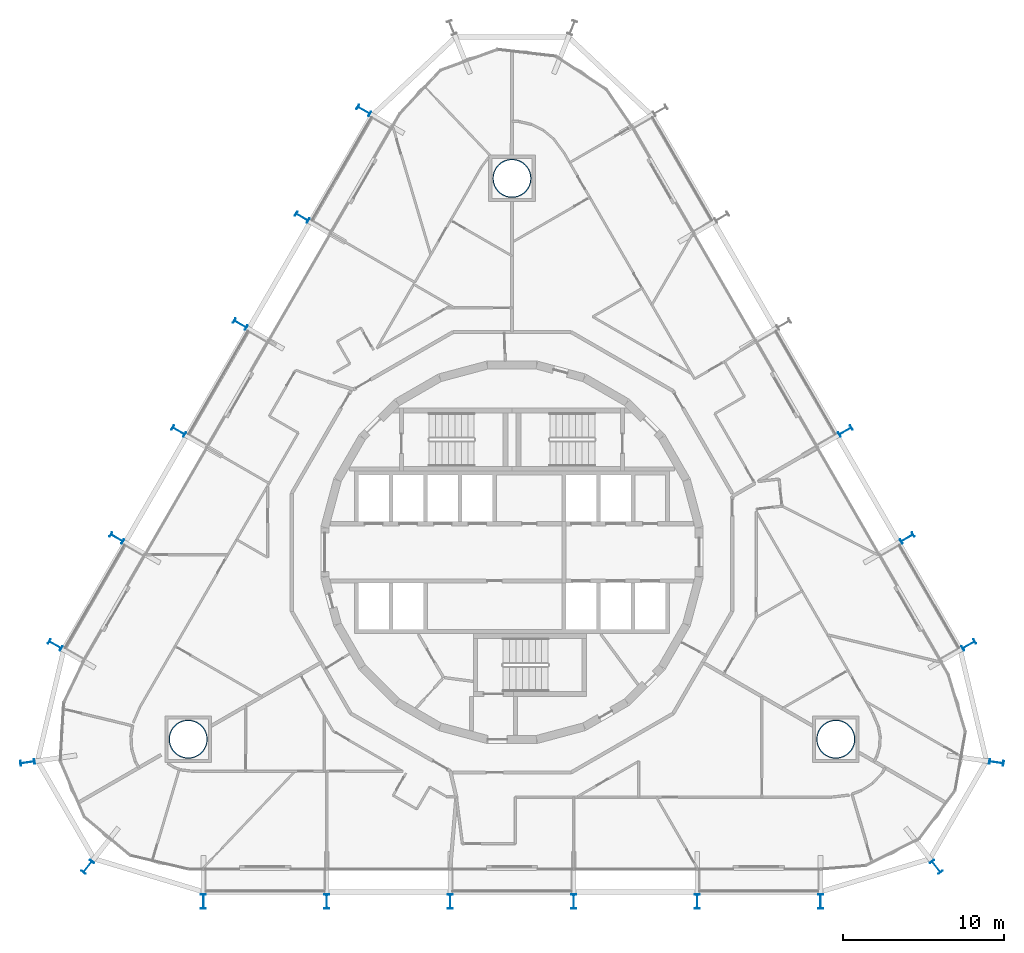
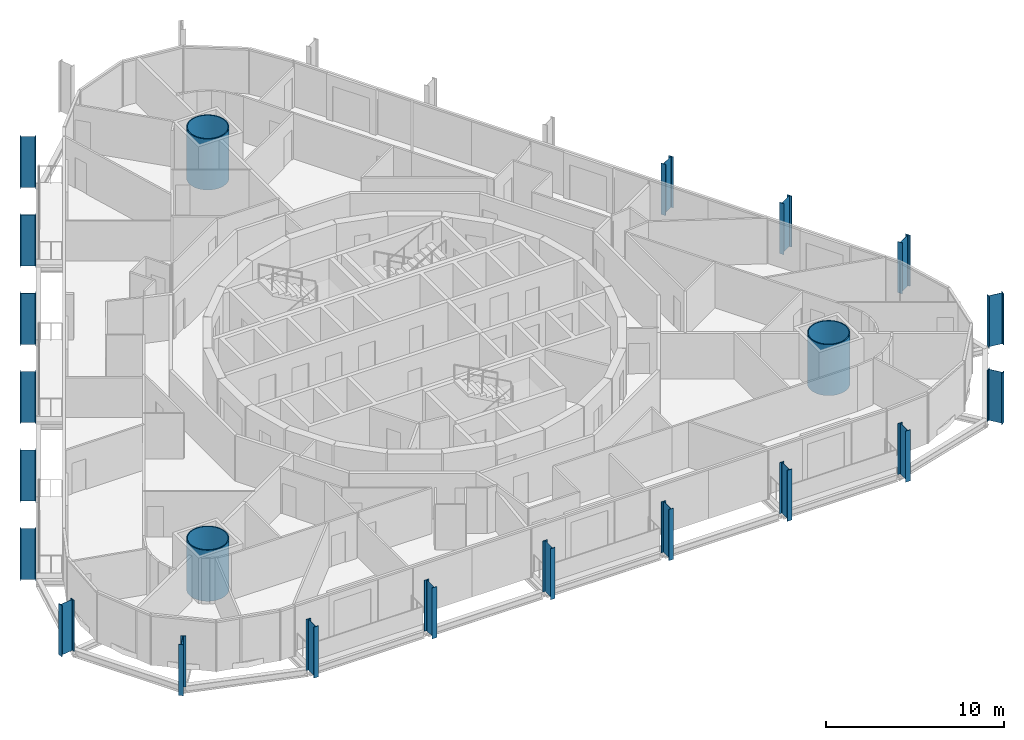
# One storey, part 1 of 21: 22 columns.
"""IFC4 building model written with IfcOpenShell, lengths in metres."""

import ifcopenshell
import ifcopenshell.guid

model = None  # the IFC model being written
_history = None  # IfcOwnerHistory: only IFC2X3 demands one
_inside = {}  # id of a spatial element -> (the spatial element, [elements in it])
_under = {}  # id of a project, library or spatial element -> (it, [spatial elements below it])
_declared = {}  # id of a project -> (the project, [libraries it declares])
_typed = {}  # id of a type object -> (the type object, [elements of that type])
_made_of = {}  # id of a material, layer set ... -> (it, [elements and type objects made of it])


def new_model(schema):
    """Start an empty IFC model of exactly this schema.

    Asked for "IFC4X3", IfcOpenShell would pick the latest addendum, in which some entities
    have other attributes; the version numbers below select the first issue.
    IFC2X3 requires an IfcOwnerHistory on every rooted entity: one is made here for all.
    """
    global model, _history
    if schema == "IFC4X3":
        model = ifcopenshell.file(schema_version=(4, 3, 0, 0))
    else:
        model = ifcopenshell.file(schema=schema)
    _inside.clear()
    _under.clear()
    _declared.clear()
    _typed.clear()
    _made_of.clear()
    _history = None
    if model.schema == "IFC2X3":
        org = make("IfcOrganization", Name="unknown")
        user = make(
            "IfcPersonAndOrganization",
            ThePerson=make("IfcPerson", FamilyName="unknown"),
            TheOrganization=org,
        )
        app = make(
            "IfcApplication",
            ApplicationDeveloper=org,
            Version="unknown",
            ApplicationFullName="unknown",
            ApplicationIdentifier="unknown",
        )
        _history = make(
            "IfcOwnerHistory",
            OwningUser=user,
            OwningApplication=app,
            ChangeAction="ADDED",
            CreationDate=0,
        )
    return model


def make(cls, **values):
    """One entity of the class cls with the attributes given. An attribute that is None is left unset."""
    return model.create_entity(
        cls, **{name: value for name, value in values.items() if value is not None}
    )


def rooted(cls, **values):
    """An entity with a GlobalId (a new one), such as an element, a storey or a relation."""
    return make(cls, GlobalId=ifcopenshell.guid.new(), OwnerHistory=_history, **values)


def si_unit(unit_type, name, prefix=None):
    """IfcSIUnit, for example si_unit("LENGTHUNIT", "METRE", prefix="MILLI")."""
    return make("IfcSIUnit", UnitType=unit_type, Prefix=prefix, Name=name)


def assignment(units):
    """IfcUnitAssignment: the units of a project."""
    return None if units is None else make("IfcUnitAssignment", Units=units)


def point(xyz):
    """IfcCartesianPoint."""
    return None if xyz is None else make("IfcCartesianPoint", Coordinates=xyz)


def direction(xyz):
    """IfcDirection."""
    return None if xyz is None else make("IfcDirection", DirectionRatios=xyz)


def frame(location, z_axis=None, x_axis=None):
    """IfcAxis2Placement3D, a coordinate frame: its origin and axes. An axis left out is left unset."""
    return make(
        "IfcAxis2Placement3D",
        Location=point(location),
        Axis=direction(z_axis),
        RefDirection=direction(x_axis),
    )


def frame_2d(location, x_axis=None):
    """IfcAxis2Placement2D, a coordinate frame in the plane: its origin and x axis."""
    return make(
        "IfcAxis2Placement2D", Location=point(location), RefDirection=direction(x_axis)
    )


def origin():
    """The frame at (0, 0, 0) with its axes left unset."""
    return frame((0.0, 0.0, 0.0))


def origin_2d():
    """The frame at (0, 0) in the plane with its x axis left unset."""
    return frame_2d((0.0, 0.0))


def place(relative_to, where):
    """IfcLocalPlacement: puts the frame where relative to a parent placement (None: the world)."""
    return make(
        "IfcLocalPlacement", PlacementRelTo=relative_to, RelativePlacement=where
    )


def context(
    kind, dimensions, precision=None, world=None, true_north=None, identifier=None
):
    """IfcGeometricRepresentationContext, for example the 3D "Model" context."""
    return make(
        "IfcGeometricRepresentationContext",
        ContextIdentifier=identifier,
        ContextType=kind,
        CoordinateSpaceDimension=dimensions,
        Precision=precision,
        WorldCoordinateSystem=world,
        TrueNorth=true_north,
    )


def subcontext(parent, identifier, kind, view, scale=None):
    """IfcGeometricRepresentationSubContext, for example "Body" below "Model"."""
    return make(
        "IfcGeometricRepresentationSubContext",
        ContextIdentifier=identifier,
        ContextType=kind,
        ParentContext=parent,
        TargetScale=scale,
        TargetView=view,
    )


def project(units=None, contexts=None):
    """IfcProject with its units and contexts."""
    return rooted(
        "IfcProject",
        Name="project",
        RepresentationContexts=contexts,
        UnitsInContext=assignment(units),
    )


def spatial(cls, under=None, at=None, **own):
    """A site, building, storey or space (cls), placed at a placement, below another one or the project."""
    s = rooted(cls, ObjectPlacement=at, **own)
    if under is not None:
        _under.setdefault(under.id(), (under, []))[1].append(s)
    return s


def profile(cls, at=None, kind="AREA", **sizes):
    """A parametric profile (cls). Its sizes go by their IFC names, for example OverallWidth=200.0."""
    return make(cls, ProfileType=kind, Position=at, **sizes)


def hollow_circle(**sizes):
    """IfcCircleHollowProfileDef."""
    return profile("IfcCircleHollowProfileDef", **sizes)


def i_section(**sizes):
    """IfcIShapeProfileDef."""
    return profile("IfcIShapeProfileDef", **sizes)


def extrude(swept, where, along, depth):
    """IfcExtrudedAreaSolid: the profile swept, set in the frame where, extruded along a direction by depth."""
    return make(
        "IfcExtrudedAreaSolid",
        SweptArea=swept,
        Position=where,
        ExtrudedDirection=direction(along),
        Depth=depth,
    )


def shape(context_of_items, identifier, shape_type, items):
    """IfcShapeRepresentation: the items that make up one representation, for example the "Body"."""
    return make(
        "IfcShapeRepresentation",
        ContextOfItems=context_of_items,
        RepresentationIdentifier=identifier,
        RepresentationType=shape_type,
        Items=items,
    )


def material(Name=None, Category=None):
    """IfcMaterial."""
    return make("IfcMaterial", Name=Name, Category=Category)


def material_profile(
    of_material, cross_section, Name=None, Category=None, Priority=None
):
    """IfcMaterialProfile: a cross section and its material."""
    return make(
        "IfcMaterialProfile",
        Name=Name,
        Material=of_material,
        Profile=cross_section,
        Priority=Priority,
        Category=Category,
    )


def profile_set(profiles, Name=None, composite=None):
    """IfcMaterialProfileSet."""
    return make(
        "IfcMaterialProfileSet",
        Name=Name,
        MaterialProfiles=profiles,
        CompositeProfile=composite,
    )


def made_of(thing, what):
    """Note that an element or type object is made of a material, layer set ...; save() writes the relation."""
    if what is not None:
        _made_of.setdefault(what.id(), (what, []))[1].append(thing)
    return thing


def type_object(cls, material=None, **own):
    """A type object (cls), such as IfcWallType, which elements share."""
    return made_of(rooted(cls, **own), material)


def element(
    cls,
    number,
    at=None,
    inside=None,
    cuts=None,
    type_object=None,
    material=None,
    context=None,
    identifier="Body",
    shape_type=None,
    held_by="IfcProductDefinitionShape",
    body=None,
    shapes=None,
    **own,
):
    """One element of the class cls, such as IfcWall. Its Tag is "e" and its number.

    at: its placement. inside: the storey or other place that contains it. cuts: it is an
    opening in that element (IfcRelVoidsElement). A single representation is given by context,
    identifier, shape_type and body (its items); several are given by shapes. held_by: the class
    of the entity that holds the representations. save() writes the other relations.
    """
    e = rooted(cls, Tag="e%d" % number, ObjectPlacement=at, **own)
    if body is not None:
        shapes = [shape(context, identifier, shape_type, body)]
    if shapes is not None:
        e.Representation = make(held_by, Representations=shapes)
    if inside is not None:
        _inside.setdefault(inside.id(), (inside, []))[1].append(e)
    if cuts is not None:
        rooted(
            "IfcRelVoidsElement", RelatingBuildingElement=cuts, RelatedOpeningElement=e
        )
    if type_object is not None:
        _typed.setdefault(type_object.id(), (type_object, []))[1].append(e)
    return made_of(e, material)


def aggregate(whole, parts):
    """IfcRelAggregates: a whole, such as a stair, and the parts it consists of."""
    return rooted("IfcRelAggregates", RelatingObject=whole, RelatedObjects=parts)


def save(model, path):
    """Write the relations noted so far, then the file.

    IfcRelAggregates (storeys below a building ...), IfcRelContainedInSpatialStructure (elements
    in a storey), IfcRelDefinesByType, IfcRelAssociatesMaterial and IfcRelDeclares: one each for
    every whole, place, type object, material and project.
    """
    for whole, parts in _under.values():
        aggregate(whole, parts)
    for where, things in _inside.values():
        rooted(
            "IfcRelContainedInSpatialStructure",
            RelatedElements=things,
            RelatingStructure=where,
        )
    for kind, things in _typed.values():
        rooted("IfcRelDefinesByType", RelatedObjects=things, RelatingType=kind)
    for what, things in _made_of.values():
        rooted("IfcRelAssociatesMaterial", RelatedObjects=things, RelatingMaterial=what)
    for by, libraries in _declared.values():
        rooted("IfcRelDeclares", RelatingContext=by, RelatedDefinitions=libraries)
    model.write(path)


model = new_model("IFC4")

# Units and contexts
model_context = context("Model", 3, precision=1e-05, world=origin(), true_north=direction((0.0, 1.0)))
body_context = subcontext(model_context, "Body", "Model", "MODEL_VIEW")
ifc_project = project(units=[si_unit("LENGTHUNIT", "METRE"), si_unit("AREAUNIT", "SQUARE_METRE"), si_unit("VOLUMEUNIT", "CUBIC_METRE"), si_unit("PLANEANGLEUNIT", "RADIAN"), si_unit("MASSUNIT", "GRAM", prefix="KILO")], contexts=[model_context])

# Site, building, storey
site_placement = place(None, origin())
site = spatial("IfcSite", under=ifc_project, at=site_placement, CompositionType="ELEMENT")
building_placement = place(site_placement, origin())
building = spatial("IfcBuilding", under=site, at=building_placement, Name="Spindle Arch Residences", CompositionType="ELEMENT")
storey_placement = place(building_placement, frame((0.0, 0.0, 62.89990234375)))
storey = spatial("IfcBuildingStorey", under=building, at=storey_placement, Name="L14", CompositionType="ELEMENT", Elevation=62.89990234375)

# Columns
ifc_material_1 = material(Name="Steel S460ML, intumescent coating R 240", Category="steel")
ifc_material_profile_1 = material_profile(ifc_material_1, i_section(OverallWidth=0.300048828125, OverallDepth=0.89990234375, WebThickness=0.0185546875, FlangeThickness=0.034912109375, FilletRadius=0.030029296875, at=origin_2d()), Name="HEB 900")
ifc_profile_set_1 = profile_set([ifc_material_profile_1], Name="Steel S460ML, intumescent coating R 240")
column_type_1 = type_object("IfcColumnType", Name="Exoskeleton post HEB 900", PredefinedType="COLUMN", material=ifc_profile_set_1)
for number, where, z_axis, x_axis, name in (
    (1, (3.840087890625, -21.72998046875, -0.3798828125), (0.0, 0.0, 1.0), (-1.0, 0.0, 0.0), "Exoskeleton post 1"),
    (2, (11.52001953125, -21.72998046875, -0.3798828125), (0.0, 0.0, 1.0), (-1.0, 0.0, 0.0), "Exoskeleton post 2"),
    (3, (19.2001953125, -21.72998046875, -0.3798828125), (0.0, 0.0, 1.0), (-1.0, 0.0, 0.0), "Exoskeleton post 3"),
    (4, (26.3916015625, -19.565185546875, -0.3798828125), (0.0, 0.0, 1.0), (-0.7856835335, -0.618628632693, 0.0), "Exoskeleton post 4"),
    (5, (30.139892578125, -13.0732421875, -0.3798828125), (0.0, 0.0, 1.0), (-0.142906037553, -0.989736260036, 0.0), "Exoskeleton post 5"),
    (6, (28.418701171875, -5.762939453125, -0.3798828125), (0.0, 0.0, 1.0), (0.50000017485, -0.866025302835, 0.0), "Exoskeleton post 6"),
    (7, (24.57861328125, 0.88818359375, -0.3798828125), (0.0, 0.0, 1.0), (0.50000017485, -0.866025302835, 0.0), "Exoskeleton post 7"),
    (8, (20.73876953125, 7.539306640625, -0.3798828125), (0.0, 0.0, 1.0), (0.50000017485, -0.866025302835, 0.0), "Exoskeleton post 8"),
    (9, (-9.218505859375, 27.492919921875, -0.3798828125), (0.0, 0.0, 1.0), (0.50000017485, 0.866025302835, 0.0), "Exoskeleton post 14"),
    (10, (-13.05859375, 20.841796875, -0.3798828125), (0.0, 0.0, 1.0), (0.50000017485, 0.866025302835, 0.0), "Exoskeleton post 15"),
    (11, (-16.898681640625, 14.1904296875, -0.3798828125), (0.0, 0.0, 1.0), (0.50000017485, 0.866025302835, 0.0), "Exoskeleton post 16"),
    (12, (-20.73876953125, 7.539306640625, -0.3798828125), (0.0, 0.0, 1.0), (0.50000017485, 0.866025302835, 0.0), "Exoskeleton post 17"),
    (13, (-24.57861328125, 0.88818359375, -0.3798828125), (0.0, 0.0, 1.0), (0.50000017485, 0.866025302835, 0.0), "Exoskeleton post 18"),
    (14, (-28.418701171875, -5.762939453125, -0.3798828125), (0.0, 0.0, 1.0), (0.50000017485, 0.866025302835, 0.0), "Exoskeleton post 19"),
    (15, (-30.139892578125, -13.0732421875, -0.3798828125), (0.0, 0.0, 1.0), (-0.142906037553, 0.989736260036, 0.0), "Exoskeleton post 20"),
    (16, (-26.3916015625, -19.565185546875, -0.3798828125), (0.0, 0.0, 1.0), (-0.7856835335, 0.618628632693, 0.0), "Exoskeleton post 21"),
    (17, (-19.2001953125, -21.72998046875, -0.3798828125), (0.0, 0.0, 1.0), (-1.0, 0.0, 0.0), "Exoskeleton post 22"),
    (18, (-11.52001953125, -21.72998046875, -0.3798828125), (0.0, 0.0, 1.0), (-1.0, 0.0, 0.0), "Exoskeleton post 23"),
    (19, (-3.840087890625, -21.72998046875, -0.3798828125), (0.0, 0.0, 1.0), (-1.0, 0.0, 0.0), "Exoskeleton post 24"),
):
    element("IfcColumn", number, at=place(storey_placement, frame(where, z_axis=z_axis, x_axis=x_axis)), inside=storey, type_object=column_type_1, Name=name, PredefinedType="COLUMN", context=body_context, shape_type="SweptSolid", body=[
        extrude(i_section(OverallWidth=0.300048828125, OverallDepth=0.89990234375, WebThickness=0.0185546875, FlangeThickness=0.034912109375, FilletRadius=0.030029296875, at=origin_2d()), origin(), (0.0, 0.0, 1.0), 3.5),
    ])
ifc_material_2 = material(Name="Concrete C50/60 filled steel tube S460ML, intumescent coating R 240", Category="concrete")
ifc_material_profile_2 = material_profile(ifc_material_2, hollow_circle(Radius=1.199951171875, WallThickness=0.06005859375, at=origin_2d()), Name="CFT D2400x60")
ifc_profile_set_2 = profile_set([ifc_material_profile_2], Name="Concrete C50/60 filled steel tube S460ML, intumescent coating R 240")
column_type_2 = type_object("IfcColumnType", Name="Mega-column CFT D2400x60", PredefinedType="COLUMN", material=ifc_profile_set_2)
for number, where, z_axis, x_axis, name in (
    (20, (20.1435546875, -11.6298828125, -0.3798828125), (0.0, 0.0, 1.0), (1.0, 0.0, 0.0), "Mega-column 1"),
    (21, (0.0, 23.259765625, -0.3798828125), (0.0, 0.0, 1.0), (1.0, 0.0, 0.0), "Mega-column 2"),
    (22, (-20.1435546875, -11.6298828125, -0.3798828125), (0.0, 0.0, 1.0), (1.0, 0.0, 0.0), "Mega-column 3"),
):
    element("IfcColumn", number, at=place(storey_placement, frame(where, z_axis=z_axis, x_axis=x_axis)), inside=storey, type_object=column_type_2, Name=name, PredefinedType="COLUMN", context=body_context, shape_type="SweptSolid", body=[
        extrude(hollow_circle(Radius=1.199951171875, WallThickness=0.06005859375, at=origin_2d()), origin(), (0.0, 0.0, 1.0), 3.5),
    ])

save(model, "model.ifc")
